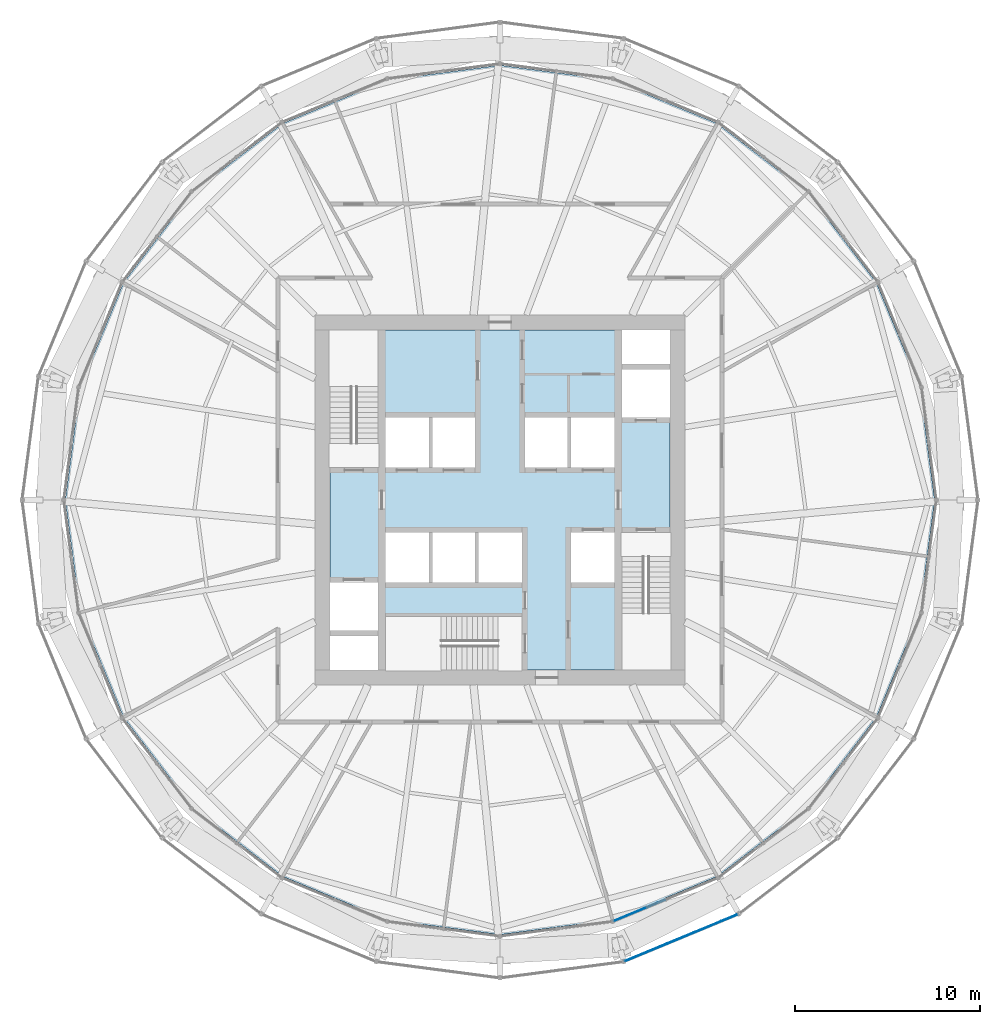
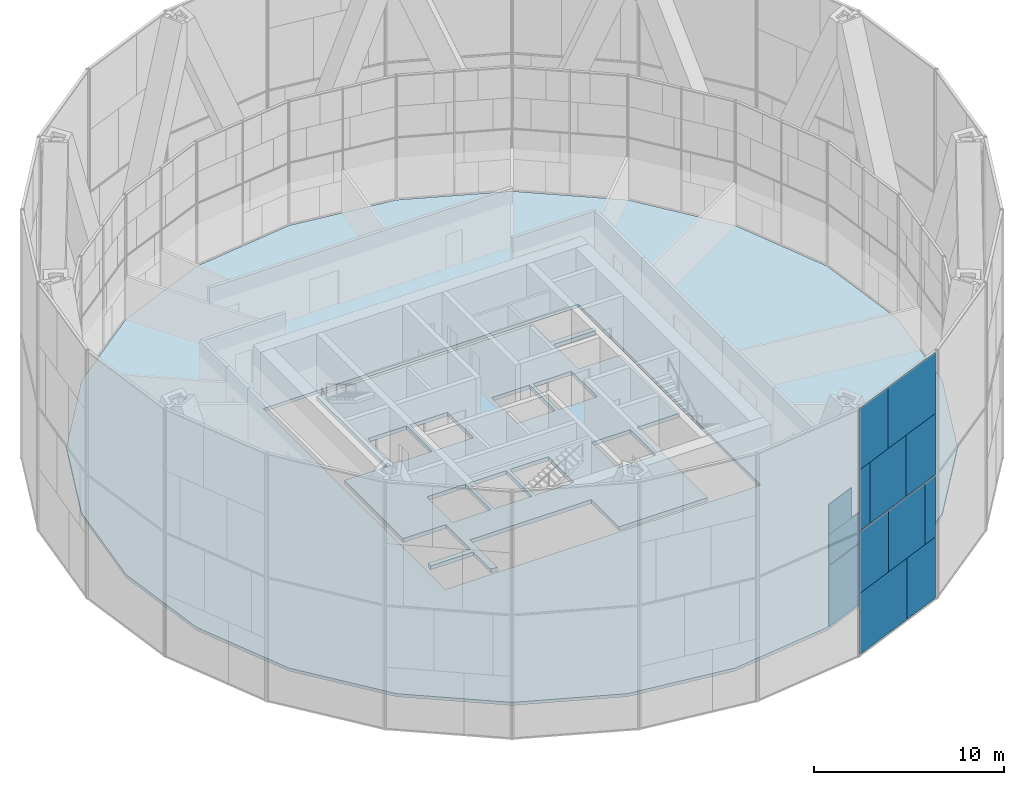
# One storey, part 13 of 22: 13 plates, 2 slabs, 2 elements without a shape of their own.
"""IFC4 building model written with IfcOpenShell, lengths in metres."""

from ifc_helpers import new_model, si_unit, direction, frame, origin, origin_2d, place, context, subcontext, project, spatial, polyline, rectangle, outline, extrude, material, layer, layer_set, type_object, element, aggregate, save


model = new_model("IFC4")

# Units and contexts
model_context = context("Model", 3, precision=1e-05, world=origin(), true_north=direction((0.0, 1.0)))
body_context = subcontext(model_context, "Body", "Model", "MODEL_VIEW")
ifc_project = project(units=[si_unit("LENGTHUNIT", "METRE"), si_unit("AREAUNIT", "SQUARE_METRE"), si_unit("VOLUMEUNIT", "CUBIC_METRE"), si_unit("PLANEANGLEUNIT", "RADIAN"), si_unit("MASSUNIT", "GRAM", prefix="KILO")], contexts=[model_context])

# Site, building, storey
site_placement = place(None, origin())
site = spatial("IfcSite", under=ifc_project, at=site_placement, CompositionType="ELEMENT")
building_placement = place(site_placement, origin())
building = spatial("IfcBuilding", under=site, at=building_placement, Name="Golbaran Civic Tower", CompositionType="ELEMENT")
storey_placement = place(building_placement, frame((0.0, 0.0, 53.0)))
storey = spatial("IfcBuildingStorey", under=building, at=storey_placement, Name="L12", CompositionType="ELEMENT", Elevation=53.0)

# Slabs
ifc_material_1 = material(Name="Concrete LC30/33 lightweight on steel deck", Category="concrete")
ifc_layer_1 = layer(ifc_material_1, 0.199951171875, Name="Concrete LC30/33 lightweight on steel deck")
ifc_layer_set_1 = layer_set([ifc_layer_1], Name="Concrete LC30/33 lightweight on steel deck")
slab_type_1 = type_object("IfcSlabType", Name="COMPOSITE FLOOR SLAB 200", PredefinedType="FLOOR", material=ifc_layer_set_1)
slab_1_placement = place(storey_placement, frame((0.0, 0.0, -0.199951171875)))
element("IfcSlab", 1, at=slab_1_placement, inside=storey, type_object=slab_type_1, Name="Floor slab L12", PredefinedType="FLOOR", context=body_context, shape_type="SweptSolid", body=[
    extrude(outline(polyline([(20.355224609375, -11.752197265625), (16.6201171875, -16.6201171875), (11.752197265625, -20.355224609375), (6.083251953125, -22.703369140625), (0.0, -23.50439453125), (-6.083251953125, -22.703369140625), (-11.752197265625, -20.355224609375), (-16.6201171875, -16.6201171875), (-20.355224609375, -11.752197265625), (-22.703369140625, -6.083251953125), (-23.50439453125, 0.0), (-22.703369140625, 6.083251953125), (-20.355224609375, 11.752197265625), (-16.6201171875, 16.6201171875), (-11.752197265625, 20.355224609375), (-6.083251953125, 22.703369140625), (0.0, 23.50439453125), (6.083251953125, 22.703369140625), (11.752197265625, 20.355224609375), (16.6201171875, 16.6201171875), (20.355224609375, 11.752197265625), (22.703369140625, 6.083251953125), (23.50439453125, 0.0), (22.703369140625, -6.083251953125), (20.355224609375, -11.752197265625)]), holes=[polyline([(-9.60009765625, 9.60009765625), (-9.60009765625, -9.60009765625), (9.60009765625, -9.60009765625), (9.60009765625, 9.60009765625), (-9.60009765625, 9.60009765625)])]), origin(), (0.0, 0.0, 1.0), 0.199951171875),
])
ifc_material_2 = material(Name="Concrete C35/45", Category="concrete")
ifc_layer_2 = layer(ifc_material_2, 0.25, Name="Concrete C35/45")
ifc_layer_set_2 = layer_set([ifc_layer_2], Name="Concrete C35/45")
slab_type_2 = type_object("IfcSlabType", Name="CORE FLOOR SLAB 250", PredefinedType="FLOOR", material=ifc_layer_set_2)
slab_2_placement = place(storey_placement, frame((0.0, 0.0, -0.25)))
element("IfcSlab", 2, at=slab_2_placement, inside=storey, type_object=slab_type_2, Name="Core floor slab L12", PredefinedType="FLOOR", context=body_context, shape_type="SweptSolid", body=[
    extrude(outline(polyline([(6.60009765625, -1.75), (6.60009765625, -9.199951171875), (1.199951171875, -9.199951171875), (1.199951171875, -6.300048828125), (-6.199951171875, -6.300048828125), (-6.199951171875, -9.199951171875), (-6.60009765625, -9.199951171875), (-6.60009765625, -7.35009765625), (-9.199951171875, -7.35009765625), (-9.199951171875, -7.050048828125), (-6.60009765625, -7.050048828125), (-6.60009765625, -4.449951171875), (-9.199951171875, -4.449951171875), (-9.199951171875, 1.75), (-6.60009765625, 1.75), (-6.60009765625, 9.199951171875), (6.60009765625, 9.199951171875), (6.60009765625, 7.35009765625), (9.199951171875, 7.35009765625), (9.199951171875, 7.050048828125), (6.60009765625, 7.050048828125), (6.60009765625, 4.449951171875), (9.199951171875, 4.449951171875), (9.199951171875, -1.75), (6.60009765625, -1.75)]), holes=[polyline([(6.199951171875, -1.75), (3.85009765625, -1.75), (3.85009765625, -4.449951171875), (6.199951171875, -4.449951171875), (6.199951171875, -1.75)]), polyline([(6.199951171875, 4.449951171875), (3.85009765625, 4.449951171875), (3.85009765625, 1.75), (6.199951171875, 1.75), (6.199951171875, 4.449951171875)]), polyline([(3.64990234375, 4.449951171875), (1.35009765625, 4.449951171875), (1.35009765625, 1.75), (3.64990234375, 1.75), (3.64990234375, 4.449951171875)]), polyline([(1.199951171875, -1.75), (-1.14990234375, -1.75), (-1.14990234375, -4.449951171875), (1.199951171875, -4.449951171875), (1.199951171875, -1.75)]), polyline([(-1.35009765625, 4.449951171875), (-3.64990234375, 4.449951171875), (-3.64990234375, 1.75), (-1.35009765625, 1.75), (-1.35009765625, 4.449951171875)]), polyline([(-1.35009765625, -1.75), (-3.64990234375, -1.75), (-3.64990234375, -4.449951171875), (-1.35009765625, -4.449951171875), (-1.35009765625, -1.75)]), polyline([(-3.85009765625, -1.75), (-6.199951171875, -1.75), (-6.199951171875, -4.449951171875), (-3.85009765625, -4.449951171875), (-3.85009765625, -1.75)]), polyline([(-3.85009765625, 4.449951171875), (-6.199951171875, 4.449951171875), (-6.199951171875, 1.75), (-3.85009765625, 1.75), (-3.85009765625, 4.449951171875)])]), origin(), (0.0, 0.0, 1.0), 0.25),
])

# Curtain wall, plates
ifc_material_3 = material(Name="Aluminium and glass", Category="aluminium")
curtain_wall_type_1 = type_object("IfcCurtainWallType", Name="INNER SKIN CURTAIN WALL", PredefinedType="NOTDEFINED", material=ifc_material_3)
curtain_wall_1_placement = place(storey_placement, origin())
curtain_wall_1 = element("IfcCurtainWall", 3, at=curtain_wall_1_placement, inside=storey, type_object=curtain_wall_type_1, Name="Inner skin L12 facet 20 CW1", ObjectType="INNER SKIN", PredefinedType="USERDEFINED")
ifc_material_4 = material(Name="Clear insulating glass", Category="glass")
ifc_layer_3 = layer(ifc_material_4, 0.031982421875, Name="Clear insulating glass")
ifc_layer_set_3 = layer_set([ifc_layer_3], Name="Clear insulating glass")
plate_type_1 = type_object("IfcPlateType", Name="INNER SKIN CURTAIN WALL GLAZED PANEL", PredefinedType="CURTAIN_PANEL", material=ifc_layer_set_3)
plate_1_placement = place(storey_placement, frame((7.541259765625, -22.18603515625, 0.06494140625), z_axis=(0.0, 0.0, 1.0), x_axis=(0.923879532491, 0.382683432413, 0.0)))
plate_1 = element("IfcPlate", 4, at=plate_1_placement, type_object=plate_type_1, Name="CW1 panel 1.1", PredefinedType="CURTAIN_PANEL", context=body_context, shape_type="SweptSolid", body=[
    extrude(rectangle(XDim=2.98095703125, YDim=0.031982421875, at=origin_2d()), origin(), (0.0, 0.0, 1.0), 3.902587890625),
])
plate_2_placement = place(storey_placement, frame((7.355712890625, -22.262939453125, 4.032470703125), z_axis=(0.0, 0.0, 1.0), x_axis=(0.923879532491, 0.382683432413, 0.0)))
plate_2 = element("IfcPlate", 5, at=plate_2_placement, type_object=plate_type_1, Name="CW1 panel 1.2 part 1", PredefinedType="CURTAIN_PANEL", context=body_context, shape_type="SweptSolid", body=[
    extrude(rectangle(XDim=2.5791015625, YDim=0.031982421875, at=origin_2d()), origin(), (0.0, 0.0, 1.0), 1.951171875),
])
plate_3_placement = place(storey_placement, frame((7.05859375, -22.385986328125, 5.98388671875), z_axis=(0.0, 0.0, 1.0), x_axis=(0.923879532491, 0.382683432413, 0.0)))
plate_3 = element("IfcPlate", 6, at=plate_3_placement, type_object=plate_type_1, Name="CW1 panel 1.2 part 3", PredefinedType="CURTAIN_PANEL", context=body_context, shape_type="SweptSolid", body=[
    extrude(rectangle(XDim=1.93603515625, YDim=0.031982421875, at=origin_2d()), origin(), (0.0, 0.0, 1.0), 1.951171875),
])
aggregate(curtain_wall_1, [plate_1, plate_2, plate_3])

curtain_wall_type_2 = type_object("IfcCurtainWallType", Name="OUTER SKIN TERRACOTTA SCREEN", PredefinedType="NOTDEFINED", material=ifc_material_3)
curtain_wall_2_placement = place(storey_placement, origin())
curtain_wall_2 = element("IfcCurtainWall", 7, at=curtain_wall_2_placement, inside=storey, type_object=curtain_wall_type_2, Name="Outer skin L12 facet 20 CW3", ObjectType="OUTER SKIN", PredefinedType="USERDEFINED")
ifc_material_5 = material(Name="Clear laminated glass", Category="glass")
ifc_layer_4 = layer(ifc_material_5, 0.0400390625, Name="Clear laminated glass")
ifc_layer_set_4 = layer_set([ifc_layer_4], Name="Clear laminated glass")
plate_type_2 = type_object("IfcPlateType", Name="OUTER SKIN CLEAR GLASS PANEL", PredefinedType="CURTAIN_PANEL", material=ifc_layer_set_4)
plate_4_placement = place(storey_placement, frame((8.658203125, -24.14453125, -0.6298828125), z_axis=(0.0, 0.0, 1.0), x_axis=(0.923879532518, 0.382683432349, 0.0)))
plate_4 = element("IfcPlate", 8, at=plate_4_placement, type_object=plate_type_2, Name="CW3 panel 1.1 part 1", PredefinedType="CURTAIN_PANEL", context=body_context, shape_type="SweptSolid", body=[
    extrude(rectangle(XDim=4.10498046875, YDim=0.0400390625, at=origin_2d()), origin(), (0.0, 0.0, 1.0), 3.93994140625),
])
plate_5_placement = place(storey_placement, frame((7.921875, -24.449462890625, 3.31005859375), z_axis=(0.0, 0.0, 1.0), x_axis=(0.923879532518, 0.382683432349, 0.0)))
plate_5 = element("IfcPlate", 9, at=plate_5_placement, type_object=plate_type_2, Name="CW3 panel 1.1 part 3", PredefinedType="CURTAIN_PANEL", context=body_context, shape_type="SweptSolid", body=[
    extrude(rectangle(XDim=2.510986328125, YDim=0.0400390625, at=origin_2d()), origin(), (0.0, 0.0, 1.0), 3.93994140625),
])
plate_6_placement = place(storey_placement, frame((12.414306640625, -22.588623046875, 3.31005859375), z_axis=(0.0, 0.0, 1.0), x_axis=(0.923879532518, 0.382683432349, 0.0)))
plate_6 = element("IfcPlate", 10, at=plate_6_placement, type_object=plate_type_2, Name="CW3 panel 1.1 part 5", PredefinedType="CURTAIN_PANEL", context=body_context, shape_type="SweptSolid", body=[
    extrude(rectangle(XDim=0.935791015625, YDim=0.0400390625, at=origin_2d()), origin(), (0.0, 0.0, 1.0), 3.93994140625),
])
plate_7_placement = place(storey_placement, frame((7.17138671875, -24.76025390625, 7.330078125), z_axis=(0.0, 0.0, 1.0), x_axis=(0.923879532518, 0.382683432349, 0.0)))
plate_7 = element("IfcPlate", 11, at=plate_7_placement, type_object=plate_type_2, Name="CW3 panel 1.2 part 1", PredefinedType="CURTAIN_PANEL", context=body_context, shape_type="SweptSolid", body=[
    extrude(rectangle(XDim=0.885986328125, YDim=0.0400390625, at=origin_2d()), origin(), (0.0, 0.0, 1.0), 3.93994140625),
])
plate_8_placement = place(storey_placement, frame((11.667236328125, -22.89794921875, 7.330078125), z_axis=(0.0, 0.0, 1.0), x_axis=(0.923879532518, 0.382683432349, 0.0)))
plate_8 = element("IfcPlate", 12, at=plate_8_placement, type_object=plate_type_2, Name="CW3 panel 1.2 part 3", PredefinedType="CURTAIN_PANEL", context=body_context, shape_type="SweptSolid", body=[
    extrude(rectangle(XDim=2.552734375, YDim=0.0400390625, at=origin_2d()), origin(), (0.0, 0.0, 1.0), 3.93994140625),
])
plate_9_placement = place(storey_placement, frame((10.93505859375, -23.201416015625, 11.27001953125), z_axis=(0.0, 0.0, 1.0), x_axis=(0.923879532518, 0.382683432349, 0.0)))
plate_9 = element("IfcPlate", 13, at=plate_9_placement, type_object=plate_type_2, Name="CW3 panel 1.2 part 5", PredefinedType="CURTAIN_PANEL", context=body_context, shape_type="SweptSolid", body=[
    extrude(rectangle(XDim=4.137939453125, YDim=0.0400390625, at=origin_2d()), origin(), (0.0, 0.0, 1.0), 3.93994140625),
])
ifc_material_6 = material(Name="Terracotta baguette screen", Category="masonry")
ifc_layer_5 = layer(ifc_material_6, 0.0400390625, Name="Terracotta baguette screen")
ifc_layer_set_5 = layer_set([ifc_layer_5], Name="Terracotta baguette screen")
plate_type_3 = type_object("IfcPlateType", Name="OUTER SKIN TERRACOTTA INFILL PANEL", PredefinedType="CURTAIN_PANEL", material=ifc_layer_set_5)
plate_10_placement = place(storey_placement, frame((11.70068359375, -22.88427734375, -0.6298828125), z_axis=(0.0, 0.0, 1.0), x_axis=(0.923879532518, 0.382683432349, 0.0)))
plate_10 = element("IfcPlate", 14, at=plate_10_placement, type_object=plate_type_3, Name="CW3 infill panel 1.1 part 2", PredefinedType="CURTAIN_PANEL", context=body_context, shape_type="SweptSolid", body=[
    extrude(rectangle(XDim=2.48095703125, YDim=0.0400390625, at=origin_2d()), origin(), (0.0, 0.0, 1.0), 3.93994140625),
])
plate_11_placement = place(storey_placement, frame((10.531982421875, -23.368408203125, 3.31005859375), z_axis=(0.0, 0.0, 1.0), x_axis=(0.923879532518, 0.382683432349, 0.0)))
plate_11 = element("IfcPlate", 15, at=plate_11_placement, type_object=plate_type_3, Name="CW3 infill panel 1.1 part 4", PredefinedType="CURTAIN_PANEL", context=body_context, shape_type="SweptSolid", body=[
    extrude(rectangle(XDim=3.138916015625, YDim=0.0400390625, at=origin_2d()), origin(), (0.0, 0.0, 1.0), 3.93994140625),
])
plate_12_placement = place(storey_placement, frame((9.034423828125, -23.98876953125, 7.330078125), z_axis=(0.0, 0.0, 1.0), x_axis=(0.923879532518, 0.382683432349, 0.0)))
plate_12 = element("IfcPlate", 16, at=plate_12_placement, type_object=plate_type_3, Name="CW3 infill panel 1.2 part 2", PredefinedType="CURTAIN_PANEL", context=body_context, shape_type="SweptSolid", body=[
    extrude(rectangle(XDim=3.14697265625, YDim=0.0400390625, at=origin_2d()), origin(), (0.0, 0.0, 1.0), 3.93994140625),
])
plate_13_placement = place(storey_placement, frame((7.892822265625, -24.46142578125, 11.27001953125), z_axis=(0.0, 0.0, 1.0), x_axis=(0.923879532518, 0.382683432349, 0.0)))
plate_13 = element("IfcPlate", 17, at=plate_13_placement, type_object=plate_type_3, Name="CW3 infill panel 1.2 part 4", PredefinedType="CURTAIN_PANEL", context=body_context, shape_type="SweptSolid", body=[
    extrude(rectangle(XDim=2.447998046875, YDim=0.0400390625, at=origin_2d()), origin(), (0.0, 0.0, 1.0), 3.93994140625),
])
aggregate(curtain_wall_2, [plate_4, plate_10, plate_5, plate_11, plate_6, plate_7, plate_12, plate_8, plate_13, plate_9])

save(model, "model.ifc")
